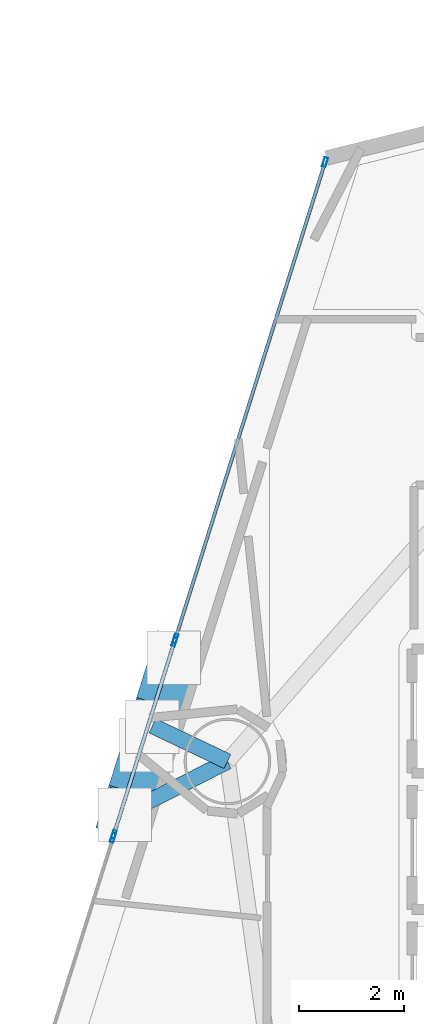
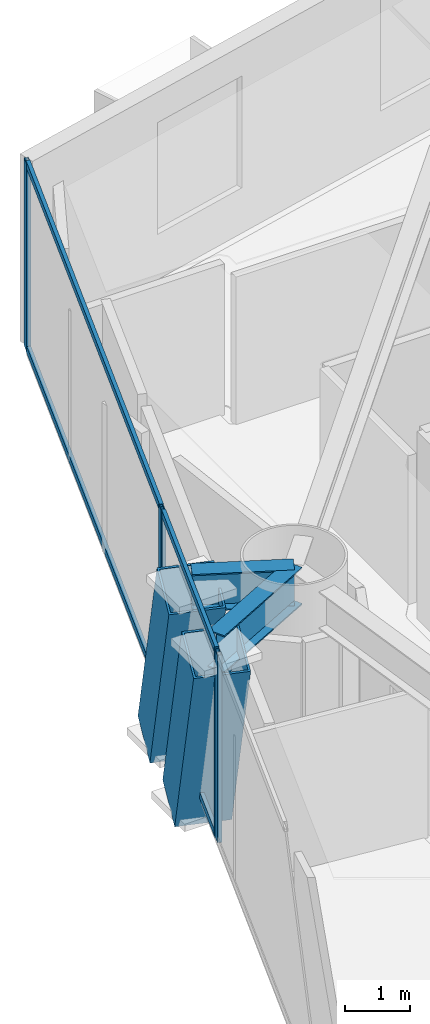
# One storey, part 8 of 24: 11 members, 2 beams, 3 elements without a shape of their own.
"""IFC4 building model written with IfcOpenShell, lengths in metres."""

from ifc_helpers import new_model, si_unit, direction, frame, origin, origin_2d, place, context, subcontext, project, spatial, hollow_rectangle, i_section, extrude, material, layer, layer_set, material_profile, profile_set, type_object, element, aggregate, save


model = new_model("IFC4")

# Units and contexts
model_context = context("Model", 3, precision=1e-05, world=origin(), true_north=direction((0.0, 1.0)))
body_context = subcontext(model_context, "Body", "Model", "MODEL_VIEW")
ifc_project = project(units=[si_unit("LENGTHUNIT", "METRE"), si_unit("AREAUNIT", "SQUARE_METRE"), si_unit("VOLUMEUNIT", "CUBIC_METRE"), si_unit("PLANEANGLEUNIT", "RADIAN"), si_unit("MASSUNIT", "GRAM", prefix="KILO")], contexts=[model_context])

# Site, building, storey
site_placement = place(None, origin())
site = spatial("IfcSite", under=ifc_project, at=site_placement, CompositionType="ELEMENT")
building_placement = place(site_placement, origin())
building = spatial("IfcBuilding", under=site, at=building_placement, Name="Qianvela Tower", CompositionType="ELEMENT")
storey_placement = place(building_placement, frame((0.0, 0.0, 71.0)))
storey = spatial("IfcBuildingStorey", under=building, at=storey_placement, Name="L17", CompositionType="ELEMENT", Elevation=71.0)

# Beams
ifc_material_1 = material(Name="Steel Q355B", Category="steel")
ifc_material_profile_1 = material_profile(ifc_material_1, i_section(OverallWidth=0.300048828125, OverallDepth=0.699951171875, WebThickness=0.012939453125, FlangeThickness=0.02392578125, at=origin_2d()), Name="HN700x300x13x24")
ifc_profile_set_1 = profile_set([ifc_material_profile_1], Name="Steel Q355B")
beam_type = type_object("IfcBeamType", Name="BM-HN700-SPAND", PredefinedType="SPANDREL", material=ifc_profile_set_1)
beam_1_placement = place(storey_placement, frame((22.8291015625, 30.340087890625, 3.16796875), z_axis=(-0.903134004592, 0.429358789068, 0.0), x_axis=(-0.429358789068, -0.903134004592, 0.0)))
element("IfcBeam", 1, at=beam_1_placement, inside=storey, type_object=beam_type, Name="L17 Mega-Brace Column Tie Bracket F2-1", PredefinedType="SPANDREL", context=body_context, shape_type="SweptSolid", body=[
    extrude(i_section(OverallWidth=0.300048828125, OverallDepth=0.699951171875, WebThickness=0.012939453125, FlangeThickness=0.02392578125, at=origin_2d()), origin(), (0.0, 0.0, 1.0), 1.5830078125),
])
beam_2_placement = place(storey_placement, frame((22.8291015625, 30.340087890625, 3.16796875), z_axis=(-0.891670918555, -0.452684186827, 0.0), x_axis=(0.452684186827, -0.891670918555, 0.0)))
element("IfcBeam", 2, at=beam_2_placement, inside=storey, type_object=beam_type, Name="L17 Mega-Brace Column Tie Bracket F2-2", PredefinedType="SPANDREL", context=body_context, shape_type="SweptSolid", body=[
    extrude(i_section(OverallWidth=0.300048828125, OverallDepth=0.699951171875, WebThickness=0.012939453125, FlangeThickness=0.02392578125, at=origin_2d()), origin(), (0.0, 0.0, 1.0), 2.1923828125),
])

# Curtain wall, members
ifc_material_2 = material(Name="Anodised Architectural Aluminium and Insulated Spandrel Panel", Category="aluminium")
ifc_layer_1 = layer(ifc_material_2, 0.179931640625)
ifc_layer_set_1 = layer_set([ifc_layer_1], Name="Anodised Architectural Aluminium and Insulated Spandrel Panel")
curtain_wall_type_1 = type_object("IfcCurtainWallType", Name="CW-BRACEBAY", PredefinedType="USERDEFINED", material=ifc_layer_set_1)
curtain_wall_1_placement = place(storey_placement, origin())
curtain_wall_1 = element("IfcCurtainWall", 3, at=curtain_wall_1_placement, inside=storey, type_object=curtain_wall_type_1, Name="L17 CW-BRACEBAY Curtain Wall 04B", ObjectType="CURTAIN_WALL_SYSTEM", PredefinedType="USERDEFINED")
ifc_material_3 = material(Name="Anodised Architectural Aluminium 6063-T6", Category="aluminium")
ifc_material_profile_2 = material_profile(ifc_material_3, hollow_rectangle(XDim=0.06494140625, YDim=0.159912109375, WallThickness=0.0048828125, at=origin_2d()), Name="ALU-MULL-65x160")
ifc_profile_set_2 = profile_set([ifc_material_profile_2], Name="Anodised Architectural Aluminium 6063-T6")
member_type_1 = type_object("IfcMemberType", Name="CW-BRACEBAY-MULL", PredefinedType="MULLION", material=ifc_profile_set_2)
member_1_placement = place(storey_placement, frame((21.8173828125, 32.617431640625, 0.0), z_axis=(0.0, 0.0, 1.0), x_axis=(0.954033839404, -0.299698904357, 0.0)))
member_1 = element("IfcMember", 4, at=member_1_placement, type_object=member_type_1, Name="CW-9 mullion 1", PredefinedType="MULLION", context=body_context, shape_type="SweptSolid", body=[
    extrude(hollow_rectangle(XDim=0.06494140625, YDim=0.159912109375, WallThickness=0.0048828125, at=origin_2d()), origin(), (0.0, 0.0, 1.0), 3.52001953125),
])
member_2_placement = place(storey_placement, frame((20.6650390625, 28.94921875, 0.0), z_axis=(0.0, 0.0, 1.0), x_axis=(0.954033839404, -0.299698904357, 0.0)))
member_2 = element("IfcMember", 5, at=member_2_placement, type_object=member_type_1, Name="CW-9 mullion 2", PredefinedType="MULLION", context=body_context, shape_type="SweptSolid", body=[
    extrude(hollow_rectangle(XDim=0.06494140625, YDim=0.159912109375, WallThickness=0.0048828125, at=origin_2d()), origin(), (0.0, 0.0, 1.0), 3.52001953125),
])
ifc_material_4 = material(Name="Anodised Architectural Aluminium 6063-T6", Category="aluminium")
ifc_material_profile_3 = material_profile(ifc_material_4, hollow_rectangle(XDim=0.06494140625, YDim=0.1298828125, WallThickness=0.00439453125, at=origin_2d()), Name="ALU-TRAN-65x130")
ifc_profile_set_3 = profile_set([ifc_material_profile_3], Name="Anodised Architectural Aluminium 6063-T6")
member_type_2 = type_object("IfcMemberType", Name="CW-BRACEBAY-TRAN", PredefinedType="USERDEFINED", material=ifc_profile_set_3)
member_3_placement = place(storey_placement, frame((21.8076171875, 32.58642578125, 0.032470703125), z_axis=(-0.299690554802, -0.954036462281, 0.0), x_axis=(0.954036462281, -0.299690554802, 0.0)))
member_3 = element("IfcMember", 6, at=member_3_placement, type_object=member_type_2, Name="CW-9 transom 1.1", ObjectType="TRANSOM", PredefinedType="USERDEFINED", context=body_context, shape_type="SweptSolid", body=[
    extrude(hollow_rectangle(XDim=0.06494140625, YDim=0.1298828125, WallThickness=0.00439453125, at=origin_2d()), origin(), (0.0, 0.0, 1.0), 3.780029296875),
])
member_4_placement = place(storey_placement, frame((21.8076171875, 32.58642578125, 3.487548828125), z_axis=(-0.299690554802, -0.954036462281, 0.0), x_axis=(0.954036462281, -0.299690554802, 0.0)))
member_4 = element("IfcMember", 7, at=member_4_placement, type_object=member_type_2, Name="CW-9 transom 1.2", ObjectType="TRANSOM", PredefinedType="USERDEFINED", context=body_context, shape_type="SweptSolid", body=[
    extrude(hollow_rectangle(XDim=0.06494140625, YDim=0.1298828125, WallThickness=0.00439453125, at=origin_2d()), origin(), (0.0, 0.0, 1.0), 3.780029296875),
])
aggregate(curtain_wall_1, [member_1, member_2, member_3, member_4])

ifc_material_5 = material(Name="Anodised Architectural Aluminium and Low-E Glass", Category="aluminium")
ifc_layer_2 = layer(ifc_material_5, 0.179931640625)
ifc_layer_set_2 = layer_set([ifc_layer_2], Name="Anodised Architectural Aluminium and Low-E Glass")
curtain_wall_type_2 = type_object("IfcCurtainWallType", Name="CW-COLIV-Z12", PredefinedType="USERDEFINED", material=ifc_layer_set_2)
curtain_wall_2_placement = place(storey_placement, origin())
curtain_wall_2 = element("IfcCurtainWall", 8, at=curtain_wall_2_placement, inside=storey, type_object=curtain_wall_type_2, Name="L17 CW-COLIV-Z12 Curtain Wall 04A", ObjectType="CURTAIN_WALL_SYSTEM", PredefinedType="USERDEFINED")
ifc_material_6 = material(Name="Anodised Architectural Aluminium 6063-T6", Category="aluminium")
ifc_material_profile_4 = material_profile(ifc_material_6, hollow_rectangle(XDim=0.070068359375, YDim=0.179931640625, WallThickness=0.0048828125, at=origin_2d()), Name="ALU-MULL-70x180")
ifc_profile_set_4 = profile_set([ifc_material_profile_4], Name="Anodised Architectural Aluminium 6063-T6")
member_type_3 = type_object("IfcMemberType", Name="CW-COLIV-Z12-MULL", PredefinedType="MULLION", material=ifc_profile_set_4)
member_5_placement = place(storey_placement, frame((24.69091796875, 41.76416015625, 0.0), z_axis=(0.0, 0.0, 1.0), x_axis=(0.954031375367, -0.299706748032, 0.0)))
member_5 = element("IfcMember", 9, at=member_5_placement, type_object=member_type_3, Name="CW-3 mullion 1", PredefinedType="MULLION", context=body_context, shape_type="SweptSolid", body=[
    extrude(hollow_rectangle(XDim=0.070068359375, YDim=0.179931640625, WallThickness=0.0048828125, at=origin_2d()), origin(), (0.0, 0.0, 1.0), 3.52001953125),
])
member_6_placement = place(storey_placement, frame((21.837646484375, 32.681884765625, 0.0), z_axis=(0.0, 0.0, 1.0), x_axis=(0.954031375367, -0.299706748032, 0.0)))
member_6 = element("IfcMember", 10, at=member_6_placement, type_object=member_type_3, Name="CW-3 mullion 2", PredefinedType="MULLION", context=body_context, shape_type="SweptSolid", body=[
    extrude(hollow_rectangle(XDim=0.070068359375, YDim=0.179931640625, WallThickness=0.0048828125, at=origin_2d()), origin(), (0.0, 0.0, 1.0), 3.52001953125),
])

# Curtain wall, member
curtain_wall_3_placement = place(storey_placement, origin())
curtain_wall_3 = element("IfcCurtainWall", 11, at=curtain_wall_3_placement, inside=storey, type_object=curtain_wall_type_2, Name="L17 CW-COLIV-Z12 Curtain Wall 04C", ObjectType="CURTAIN_WALL_SYSTEM", PredefinedType="USERDEFINED")
member_7_placement = place(storey_placement, frame((20.64501953125, 28.884765625, 0.0), z_axis=(0.0, 0.0, 1.0), x_axis=(0.954032242494, -0.299703987763, 0.0)))
member_7 = element("IfcMember", 12, at=member_7_placement, type_object=member_type_3, Name="CW-3 mullion 1", PredefinedType="MULLION", context=body_context, shape_type="SweptSolid", body=[
    extrude(hollow_rectangle(XDim=0.070068359375, YDim=0.179931640625, WallThickness=0.0048828125, at=origin_2d()), origin(), (0.0, 0.0, 1.0), 3.52001953125),
])
aggregate(curtain_wall_3, [member_7])

# Member
ifc_material_7 = material(Name="Anodised Architectural Aluminium 6063-T6", Category="aluminium")
ifc_material_profile_5 = material_profile(ifc_material_7, hollow_rectangle(XDim=0.06494140625, YDim=0.1298828125, WallThickness=0.00439453125, at=origin_2d()), Name="ALU-TRAN-65x130")
ifc_profile_set_5 = profile_set([ifc_material_profile_5], Name="Anodised Architectural Aluminium 6063-T6")
member_type_4 = type_object("IfcMemberType", Name="CW-COLIV-Z12-TRAN", PredefinedType="USERDEFINED", material=ifc_profile_set_5)
member_8_placement = place(storey_placement, frame((24.680419921875, 41.730712890625, 0.032470703125), z_axis=(-0.299710375969, -0.954030235651, 0.0), x_axis=(0.954030235651, -0.299710375969, 0.0)))
member_8 = element("IfcMember", 13, at=member_8_placement, type_object=member_type_4, Name="CW-3 transom 1.1", ObjectType="TRANSOM", PredefinedType="USERDEFINED", context=body_context, shape_type="SweptSolid", body=[
    extrude(hollow_rectangle(XDim=0.06494140625, YDim=0.1298828125, WallThickness=0.00439453125, at=origin_2d()), origin(), (0.0, 0.0, 1.0), 9.449951171875),
])

member_9_placement = place(storey_placement, frame((24.680419921875, 41.730712890625, 3.487548828125), z_axis=(-0.299710375969, -0.954030235651, 0.0), x_axis=(0.954030235651, -0.299710375969, 0.0)))
member_9 = element("IfcMember", 14, at=member_9_placement, type_object=member_type_4, Name="CW-3 transom 1.2", ObjectType="TRANSOM", PredefinedType="USERDEFINED", context=body_context, shape_type="SweptSolid", body=[
    extrude(hollow_rectangle(XDim=0.06494140625, YDim=0.1298828125, WallThickness=0.00439453125, at=origin_2d()), origin(), (0.0, 0.0, 1.0), 9.449951171875),
])

aggregate(curtain_wall_2, [member_5, member_6, member_8, member_9])

# Members
ifc_material_8 = material(Name="Steel Q420GJC", Category="steel")
ifc_material_profile_6 = material_profile(ifc_material_8, hollow_rectangle(XDim=0.89990234375, YDim=0.89990234375, WallThickness=0.035888671875, at=origin_2d()), Name="MBOX-900x900x36")
ifc_profile_set_6 = profile_set([ifc_material_profile_6], Name="Steel Q420GJC")
member_type_5 = type_object("IfcMemberType", Name="MBR-MBRACE-900", PredefinedType="BRACE", material=ifc_profile_set_6)
for number, where, z_axis, x_axis, name in (
    (15, (21.80078125, 32.2978515625, -0.531982421875), (-0.101999324802, -0.324797120036, 0.940267498405), (0.954060715388, -0.299613336408, 0.0), "L17 Tier 3 Exterior Mega-Brace F2A"),
    (16, (21.275634765625, 30.6259765625, -0.531982421875), (-0.101997269227, -0.32485261659, 0.940248549355), (0.954077071058, -0.299561249966, 0.0), "L17 Tier 3 Exterior Mega-Brace F2B"),
):
    element("IfcMember", number, at=place(storey_placement, frame(where, z_axis=z_axis, x_axis=x_axis)), inside=storey, type_object=member_type_5, Name=name, PredefinedType="BRACE", context=body_context, shape_type="SweptSolid", body=[
        extrude(hollow_rectangle(XDim=0.89990234375, YDim=0.89990234375, WallThickness=0.035888671875, at=origin_2d()), origin(), (0.0, 0.0, 1.0), 3.93505859375),
    ])

save(model, "model.ifc")
